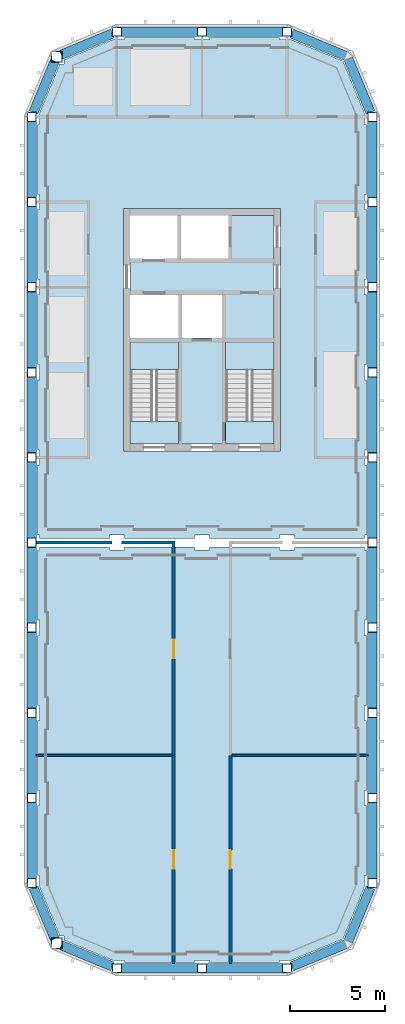
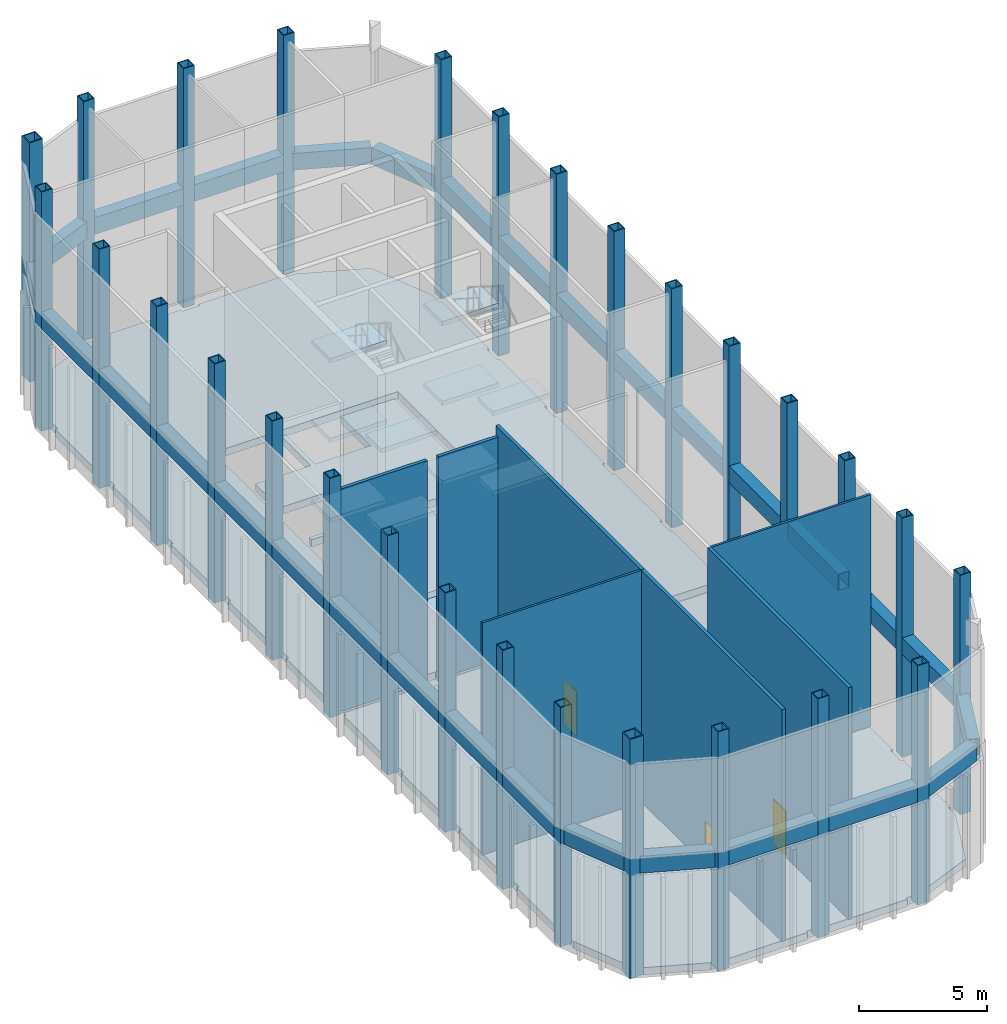
# One storey, part 1 of 8: 30 beams, 28 columns, 13 slabs, 7 walls, 3 doors, 3 openings, 2 elements without a shape of their own.
"""IFC4 building model written with IfcOpenShell, lengths in metres."""

from ifc_helpers import new_model, si_unit, direction, frame, frame_2d, origin, origin_2d, place, context, subcontext, project, spatial, polyline, rectangle, hollow_rectangle, outline, extrude, material, layer, layer_set, material_profile, profile_set, type_object, element, fill, aggregate, save


model = new_model("IFC4")

# Units and contexts
model_context = context("Model", 3, precision=1e-05, world=origin(), true_north=direction((0.0, 1.0)))
body_context = subcontext(model_context, "Body", "Model", "MODEL_VIEW")
ifc_project = project(units=[si_unit("LENGTHUNIT", "METRE"), si_unit("AREAUNIT", "SQUARE_METRE"), si_unit("VOLUMEUNIT", "CUBIC_METRE"), si_unit("PLANEANGLEUNIT", "RADIAN"), si_unit("MASSUNIT", "GRAM", prefix="KILO")], contexts=[model_context])

# Site, building, storey
site_placement = place(None, origin())
site = spatial("IfcSite", under=ifc_project, at=site_placement, CompositionType="ELEMENT")
building_placement = place(site_placement, origin())
building = spatial("IfcBuilding", under=site, at=building_placement, Name="Girih Gate Residences", CompositionType="ELEMENT")
storey_placement = place(building_placement, frame((0.0, 0.0, 235.695068359375)))
storey = spatial("IfcBuildingStorey", under=building, at=storey_placement, Name="L66", CompositionType="ELEMENT", Elevation=235.695068359375)

# Columns
ifc_material_1 = material(Name="Steel S460", Category="steel")
ifc_material_profile_1 = material_profile(ifc_material_1, hollow_rectangle(XDim=0.60009765625, YDim=0.60009765625, WallThickness=0.050048828125, at=origin_2d()))
ifc_profile_set_1 = profile_set([ifc_material_profile_1], Name="Steel S460")
column_type_1 = type_object("IfcColumnType", Name="CROWN FRAME lower corner post BOX 600x600x50 Steel S460", PredefinedType="COLUMN", material=ifc_profile_set_1)
for number, where, z_axis, x_axis, name in (
    (1, (1.318115234375, 1.318115234375, 0.0), (0.0, 0.0, 1.0), (1.0, 0.0, 0.0), "CROWN FRAME post 4 L66"),
    (2, (1.318115234375, 48.181884765625, 0.0), (0.0, 0.0, 1.0), (1.0, 0.0, 0.0), "CROWN FRAME post 25 L66"),
):
    element("IfcColumn", number, at=place(storey_placement, frame(where, z_axis=z_axis, x_axis=x_axis)), inside=storey, type_object=column_type_1, Name=name, PredefinedType="COLUMN", context=body_context, shape_type="SweptSolid", body=[
        extrude(hollow_rectangle(XDim=0.60009765625, YDim=0.60009765625, WallThickness=0.050048828125, at=origin_2d()), origin(), (0.0, 0.0, 1.0), 11.39990234375),
    ])
ifc_material_profile_2 = material_profile(ifc_material_1, hollow_rectangle(XDim=0.5, YDim=0.5, WallThickness=0.0400390625, at=origin_2d()))
ifc_profile_set_2 = profile_set([ifc_material_profile_2], Name="Steel S460")
column_type_2 = type_object("IfcColumnType", Name="CROWN FRAME lower post BOX 500x500x40 Steel S460", PredefinedType="COLUMN", material=ifc_profile_set_2)
for number, where, z_axis, x_axis, name in (
    (3, (4.5, 0.0, 0.0), (0.0, 0.0, 1.0), (1.0, 0.0, 0.0), "CROWN FRAME post 1 L66"),
    (4, (9.0, 0.0, 0.0), (0.0, 0.0, 1.0), (1.0, 0.0, 0.0), "CROWN FRAME post 2 L66"),
    (5, (13.5, 0.0, 0.0), (0.0, 0.0, 1.0), (1.0, 0.0, 0.0), "CROWN FRAME post 3 L66"),
    (6, (0.0, 4.5, 0.0), (0.0, 0.0, 1.0), (1.0, 0.0, 0.0), "CROWN FRAME post 5 L66"),
    (7, (18.0, 4.5, 0.0), (0.0, 0.0, 1.0), (1.0, 0.0, 0.0), "CROWN FRAME post 6 L66"),
    (8, (0.0, 9.0, 0.0), (0.0, 0.0, 1.0), (1.0, 0.0, 0.0), "CROWN FRAME post 7 L66"),
    (9, (18.0, 9.0, 0.0), (0.0, 0.0, 1.0), (1.0, 0.0, 0.0), "CROWN FRAME post 8 L66"),
    (10, (0.0, 13.5, 0.0), (0.0, 0.0, 1.0), (1.0, 0.0, 0.0), "CROWN FRAME post 9 L66"),
    (11, (18.0, 13.5, 0.0), (0.0, 0.0, 1.0), (1.0, 0.0, 0.0), "CROWN FRAME post 10 L66"),
    (12, (0.0, 18.0, 0.0), (0.0, 0.0, 1.0), (1.0, 0.0, 0.0), "CROWN FRAME post 11 L66"),
    (13, (18.0, 18.0, 0.0), (0.0, 0.0, 1.0), (1.0, 0.0, 0.0), "CROWN FRAME post 12 L66"),
    (14, (0.0, 22.5, 0.0), (0.0, 0.0, 1.0), (1.0, 0.0, 0.0), "CROWN FRAME post 13 L66"),
    (15, (18.0, 22.5, 0.0), (0.0, 0.0, 1.0), (1.0, 0.0, 0.0), "CROWN FRAME post 14 L66"),
    (16, (0.0, 27.0, 0.0), (0.0, 0.0, 1.0), (1.0, 0.0, 0.0), "CROWN FRAME post 15 L66"),
    (17, (18.0, 27.0, 0.0), (0.0, 0.0, 1.0), (1.0, 0.0, 0.0), "CROWN FRAME post 16 L66"),
    (18, (0.0, 31.5, 0.0), (0.0, 0.0, 1.0), (1.0, 0.0, 0.0), "CROWN FRAME post 17 L66"),
    (19, (18.0, 31.5, 0.0), (0.0, 0.0, 1.0), (1.0, 0.0, 0.0), "CROWN FRAME post 18 L66"),
    (20, (0.0, 36.0, 0.0), (0.0, 0.0, 1.0), (1.0, 0.0, 0.0), "CROWN FRAME post 19 L66"),
    (21, (18.0, 36.0, 0.0), (0.0, 0.0, 1.0), (1.0, 0.0, 0.0), "CROWN FRAME post 20 L66"),
    (22, (0.0, 40.5, 0.0), (0.0, 0.0, 1.0), (1.0, 0.0, 0.0), "CROWN FRAME post 21 L66"),
    (23, (18.0, 40.5, 0.0), (0.0, 0.0, 1.0), (1.0, 0.0, 0.0), "CROWN FRAME post 22 L66"),
    (24, (0.0, 45.0, 0.0), (0.0, 0.0, 1.0), (1.0, 0.0, 0.0), "CROWN FRAME post 23 L66"),
    (25, (18.0, 45.0, 0.0), (0.0, 0.0, 1.0), (1.0, 0.0, 0.0), "CROWN FRAME post 24 L66"),
    (26, (4.5, 49.5, 0.0), (0.0, 0.0, 1.0), (1.0, 0.0, 0.0), "CROWN FRAME post 26 L66"),
    (27, (9.0, 49.5, 0.0), (0.0, 0.0, 1.0), (1.0, 0.0, 0.0), "CROWN FRAME post 27 L66"),
    (28, (13.5, 49.5, 0.0), (0.0, 0.0, 1.0), (1.0, 0.0, 0.0), "CROWN FRAME post 28 L66"),
):
    element("IfcColumn", number, at=place(storey_placement, frame(where, z_axis=z_axis, x_axis=x_axis)), inside=storey, type_object=column_type_2, Name=name, PredefinedType="COLUMN", context=body_context, shape_type="SweptSolid", body=[
        extrude(hollow_rectangle(XDim=0.5, YDim=0.5, WallThickness=0.0400390625, at=origin_2d()), origin(), (0.0, 0.0, 1.0), 11.39990234375),
    ])

# Beams
ifc_material_profile_3 = material_profile(ifc_material_1, hollow_rectangle(XDim=0.5, YDim=0.800048828125, WallThickness=0.030029296875, at=origin_2d()))
ifc_profile_set_3 = profile_set([ifc_material_profile_3], Name="Steel S460")
beam_type = type_object("IfcBeamType", Name="CROWN FRAME stiffening ring BOX 800x500x30 Steel S460", PredefinedType="BEAM", material=ifc_profile_set_3)
for number, where, z_axis, x_axis, name in (
    (29, (17.904296875, 45.23095703125, 5.300048828125), (-0.382640157244, 0.923897456466, 0.0), (-0.923897456466, -0.382640157244, 0.0), "CROWN FRAME ring beam 241.4 1"),
    (30, (16.58642578125, 48.2216796875, 5.300048828125), (-0.923897456466, 0.382640157244, 0.0), (-0.382640157244, -0.923897456466, 0.0), "CROWN FRAME ring beam 241.4 2"),
):
    element("IfcBeam", number, at=place(storey_placement, frame(where, z_axis=z_axis, x_axis=x_axis)), inside=storey, type_object=beam_type, Name=name, PredefinedType="BEAM", context=body_context, shape_type="SweptSolid", body=[
        extrude(hollow_rectangle(XDim=0.5, YDim=0.800048828125, WallThickness=0.030029296875, at=origin_2d()), origin(), (0.0, 0.0, 1.0), 3.090576171875),
    ])
for number, where, z_axis, x_axis, name in (
    (31, (13.25, 49.5, 5.300048828125), (-1.0, 0.0, 0.0), (0.0, -1.0, 0.0), "CROWN FRAME ring beam 241.4 3"),
    (32, (8.75, 49.5, 5.300048828125), (-1.0, 0.0, 0.0), (0.0, -1.0, 0.0), "CROWN FRAME ring beam 241.4 4"),
):
    element("IfcBeam", number, at=place(storey_placement, frame(where, z_axis=z_axis, x_axis=x_axis)), inside=storey, type_object=beam_type, Name=name, PredefinedType="BEAM", context=body_context, shape_type="SweptSolid", body=[
        extrude(hollow_rectangle(XDim=0.5, YDim=0.800048828125, WallThickness=0.030029296875, at=origin_2d()), origin(), (0.0, 0.0, 1.0), 4.0),
    ])
for number, where, z_axis, x_axis, name in (
    (33, (4.26904296875, 49.404296875, 5.300048828125), (-0.923872299408, -0.382700894154, 0.0), (0.382700894154, -0.923872299408, 0.0), "CROWN FRAME ring beam 241.4 5"),
    (34, (1.222412109375, 47.950927734375, 5.300048828125), (-0.382700894154, -0.923872299408, 0.0), (0.923872299408, -0.382700894154, 0.0), "CROWN FRAME ring beam 241.4 6"),
):
    element("IfcBeam", number, at=place(storey_placement, frame(where, z_axis=z_axis, x_axis=x_axis)), inside=storey, type_object=beam_type, Name=name, PredefinedType="BEAM", context=body_context, shape_type="SweptSolid", body=[
        extrude(hollow_rectangle(XDim=0.5, YDim=0.800048828125, WallThickness=0.030029296875, at=origin_2d()), origin(), (0.0, 0.0, 1.0), 2.944091796875),
    ])
for number, where, z_axis, x_axis, name in (
    (35, (0.0, 44.75, 5.300048828125), (0.0, -1.0, 0.0), (1.0, 0.0, 0.0), "CROWN FRAME ring beam 241.4 7"),
    (36, (0.0, 40.25, 5.300048828125), (0.0, -1.0, 0.0), (1.0, 0.0, 0.0), "CROWN FRAME ring beam 241.4 8"),
    (37, (0.0, 35.75, 5.300048828125), (0.0, -1.0, 0.0), (1.0, 0.0, 0.0), "CROWN FRAME ring beam 241.4 9"),
    (38, (0.0, 31.25, 5.300048828125), (0.0, -1.0, 0.0), (1.0, 0.0, 0.0), "CROWN FRAME ring beam 241.4 10"),
    (39, (0.0, 26.75, 5.300048828125), (0.0, -1.0, 0.0), (1.0, 0.0, 0.0), "CROWN FRAME ring beam 241.4 11"),
    (40, (0.0, 22.25, 5.300048828125), (0.0, -1.0, 0.0), (1.0, 0.0, 0.0), "CROWN FRAME ring beam 241.4 12"),
    (41, (0.0, 17.75, 5.300048828125), (0.0, -1.0, 0.0), (1.0, 0.0, 0.0), "CROWN FRAME ring beam 241.4 13"),
    (42, (0.0, 13.25, 5.300048828125), (0.0, -1.0, 0.0), (1.0, 0.0, 0.0), "CROWN FRAME ring beam 241.4 14"),
    (43, (0.0, 8.75, 5.300048828125), (0.0, -1.0, 0.0), (1.0, 0.0, 0.0), "CROWN FRAME ring beam 241.4 15"),
):
    element("IfcBeam", number, at=place(storey_placement, frame(where, z_axis=z_axis, x_axis=x_axis)), inside=storey, type_object=beam_type, Name=name, PredefinedType="BEAM", context=body_context, shape_type="SweptSolid", body=[
        extrude(hollow_rectangle(XDim=0.5, YDim=0.800048828125, WallThickness=0.030029296875, at=origin_2d()), origin(), (0.0, 0.0, 1.0), 4.0),
    ])
for number, where, z_axis, x_axis, name in (
    (44, (0.095703125, 4.26904296875, 5.300048828125), (0.382700894154, -0.923872299408, 0.0), (0.923872299408, 0.382700894154, 0.0), "CROWN FRAME ring beam 241.4 16"),
    (45, (1.549072265625, 1.222412109375, 5.300048828125), (0.923872299408, -0.382700894154, 0.0), (0.382700894154, 0.923872299408, 0.0), "CROWN FRAME ring beam 241.4 17"),
):
    element("IfcBeam", number, at=place(storey_placement, frame(where, z_axis=z_axis, x_axis=x_axis)), inside=storey, type_object=beam_type, Name=name, PredefinedType="BEAM", context=body_context, shape_type="SweptSolid", body=[
        extrude(hollow_rectangle(XDim=0.5, YDim=0.800048828125, WallThickness=0.030029296875, at=origin_2d()), origin(), (0.0, 0.0, 1.0), 2.944091796875),
    ])
for number, where, z_axis, x_axis, name in (
    (46, (4.75, 0.0, 5.300048828125), (1.0, 0.0, 0.0), (0.0, 1.0, 0.0), "CROWN FRAME ring beam 241.4 18"),
    (47, (9.25, 0.0, 5.300048828125), (1.0, 0.0, 0.0), (0.0, 1.0, 0.0), "CROWN FRAME ring beam 241.4 19"),
):
    element("IfcBeam", number, at=place(storey_placement, frame(where, z_axis=z_axis, x_axis=x_axis)), inside=storey, type_object=beam_type, Name=name, PredefinedType="BEAM", context=body_context, shape_type="SweptSolid", body=[
        extrude(hollow_rectangle(XDim=0.5, YDim=0.800048828125, WallThickness=0.030029296875, at=origin_2d()), origin(), (0.0, 0.0, 1.0), 4.0),
    ])
for number, where, z_axis, x_axis, name in (
    (48, (13.73095703125, 0.095703125, 5.300048828125), (0.923897456466, 0.382640157244, 0.0), (-0.382640157244, 0.923897456466, 0.0), "CROWN FRAME ring beam 241.4 20"),
    (49, (16.7216796875, 1.41357421875, 5.300048828125), (0.382640157244, 0.923897456466, 0.0), (-0.923897456466, 0.382640157244, 0.0), "CROWN FRAME ring beam 241.4 21"),
):
    element("IfcBeam", number, at=place(storey_placement, frame(where, z_axis=z_axis, x_axis=x_axis)), inside=storey, type_object=beam_type, Name=name, PredefinedType="BEAM", context=body_context, shape_type="SweptSolid", body=[
        extrude(hollow_rectangle(XDim=0.5, YDim=0.800048828125, WallThickness=0.030029296875, at=origin_2d()), origin(), (0.0, 0.0, 1.0), 3.090576171875),
    ])
for number, where, z_axis, x_axis, name in (
    (50, (18.0, 4.75, 5.300048828125), (0.0, 1.0, 0.0), (-1.0, 0.0, 0.0), "CROWN FRAME ring beam 241.4 22"),
    (51, (18.0, 9.25, 5.300048828125), (0.0, 1.0, 0.0), (-1.0, 0.0, 0.0), "CROWN FRAME ring beam 241.4 23"),
    (52, (18.0, 13.75, 5.300048828125), (0.0, 1.0, 0.0), (-1.0, 0.0, 0.0), "CROWN FRAME ring beam 241.4 24"),
    (53, (18.0, 18.25, 5.300048828125), (0.0, 1.0, 0.0), (-1.0, 0.0, 0.0), "CROWN FRAME ring beam 241.4 25"),
    (54, (18.0, 22.75, 5.300048828125), (0.0, 1.0, 0.0), (-1.0, 0.0, 0.0), "CROWN FRAME ring beam 241.4 26"),
    (55, (18.0, 27.25, 5.300048828125), (0.0, 1.0, 0.0), (-1.0, 0.0, 0.0), "CROWN FRAME ring beam 241.4 27"),
    (56, (18.0, 31.75, 5.300048828125), (0.0, 1.0, 0.0), (-1.0, 0.0, 0.0), "CROWN FRAME ring beam 241.4 28"),
    (57, (18.0, 36.25, 5.300048828125), (0.0, 1.0, 0.0), (-1.0, 0.0, 0.0), "CROWN FRAME ring beam 241.4 29"),
    (58, (18.0, 40.75, 5.300048828125), (0.0, 1.0, 0.0), (-1.0, 0.0, 0.0), "CROWN FRAME ring beam 241.4 30"),
):
    element("IfcBeam", number, at=place(storey_placement, frame(where, z_axis=z_axis, x_axis=x_axis)), inside=storey, type_object=beam_type, Name=name, PredefinedType="BEAM", context=body_context, shape_type="SweptSolid", body=[
        extrude(hollow_rectangle(XDim=0.5, YDim=0.800048828125, WallThickness=0.030029296875, at=origin_2d()), origin(), (0.0, 0.0, 1.0), 4.0),
    ])

# Slabs
ifc_material_2 = material(Name="Concrete C40/50", Category="concrete")
ifc_layer_1 = layer(ifc_material_2, 0.35009765625)
ifc_layer_set_1 = layer_set([ifc_layer_1], Name="Core floor slab 350")
slab_type_1 = type_object("IfcSlabType", Name="Core floor slab 350", PredefinedType="FLOOR", material=ifc_layer_set_1)
slab_1_placement = place(storey_placement, frame((0.0, 0.0, -0.35009765625)))
element("IfcSlab", 59, at=slab_1_placement, inside=storey, type_object=slab_type_1, Name="L66 W core floor", PredefinedType="FLOOR", context=body_context, shape_type="SweptSolid", body=[
    extrude(outline(polyline([(12.800048828125, 27.699951171875), (5.199951171875, 27.699951171875), (5.199951171875, 28.900634765625), (7.75, 28.900634765625), (7.75, 33.10009765625), (5.199951171875, 33.10009765625), (5.199951171875, 33.300048828125), (7.75, 33.300048828125), (7.75, 35.60009765625), (5.199951171875, 35.60009765625), (5.199951171875, 37.5), (7.699951171875, 37.5), (7.699951171875, 39.800048828125), (7.89990234375, 39.800048828125), (7.89990234375, 37.5), (10.39990234375, 37.5), (10.39990234375, 39.800048828125), (12.800048828125, 39.800048828125), (12.800048828125, 33.10009765625), (10.25, 33.10009765625), (10.25, 28.900634765625), (12.800048828125, 28.900634765625), (12.800048828125, 27.699951171875)]), holes=[polyline([(7.949951171875, 33.300048828125), (10.050048828125, 33.300048828125), (10.050048828125, 35.60009765625), (7.949951171875, 35.60009765625), (7.949951171875, 33.300048828125)])]), origin(), (0.0, 0.0, 1.0), 0.35009765625),
])
ifc_layer_2 = layer(ifc_material_2, 0.35009765625)
ifc_layer_set_2 = layer_set([ifc_layer_2], Name="Floor slab PT 350 Concrete C40/50")
slab_type_2 = type_object("IfcSlabType", Name="Floor slab PT 350 Concrete C40/50", PredefinedType="FLOOR", material=ifc_layer_set_2)
slab_2_placement = place(storey_placement, frame((0.0, 0.0, -0.35009765625)))
element("IfcSlab", 60, at=slab_2_placement, inside=storey, type_object=slab_type_2, Name="Floor slab L66 0", PredefinedType="FLOOR", context=body_context, shape_type="SweptSolid", body=[
    extrude(outline(polyline([(17.699951171875, 18.39990234375), (17.699951171875, 22.10009765625), (17.60009765625, 22.10009765625), (17.60009765625, 22.27490234375), (13.89990234375, 22.27490234375), (13.89990234375, 22.10009765625), (13.10009765625, 22.10009765625), (13.10009765625, 22.27490234375), (9.39990234375, 22.27490234375), (9.39990234375, 22.10009765625), (8.60009765625, 22.10009765625), (8.60009765625, 22.27490234375), (4.89990234375, 22.27490234375), (4.89990234375, 22.10009765625), (4.10009765625, 22.10009765625), (4.10009765625, 22.27490234375), (0.39990234375, 22.27490234375), (0.39990234375, 22.10009765625), (0.300048828125, 22.10009765625), (0.300048828125, 18.39990234375), (0.39990234375, 18.39990234375), (0.39990234375, 17.60009765625), (0.300048828125, 17.60009765625), (0.300048828125, 13.89990234375), (0.39990234375, 13.89990234375), (0.39990234375, 13.10009765625), (0.300048828125, 13.10009765625), (0.300048828125, 9.39990234375), (0.39990234375, 9.39990234375), (0.39990234375, 8.60009765625), (0.300048828125, 8.60009765625), (0.300048828125, 4.89990234375), (0.39990234375, 4.89990234375), (0.39990234375, 4.318359375), (1.47705078125, 1.718017578125), (1.718017578125, 1.718017578125), (1.718017578125, 1.47705078125), (4.318359375, 0.39990234375), (4.89990234375, 0.39990234375), (4.89990234375, 0.300048828125), (8.60009765625, 0.300048828125), (8.60009765625, 0.39990234375), (9.39990234375, 0.39990234375), (9.39990234375, 0.300048828125), (13.10009765625, 0.300048828125), (13.10009765625, 0.39990234375), (13.681640625, 0.39990234375), (16.452392578125, 1.547607421875), (17.60009765625, 4.318359375), (17.60009765625, 4.89990234375), (17.699951171875, 4.89990234375), (17.699951171875, 8.60009765625), (17.60009765625, 8.60009765625), (17.60009765625, 9.39990234375), (17.699951171875, 9.39990234375), (17.699951171875, 13.10009765625), (17.60009765625, 13.10009765625), (17.60009765625, 13.89990234375), (17.699951171875, 13.89990234375), (17.699951171875, 17.60009765625), (17.60009765625, 17.60009765625), (17.60009765625, 18.39990234375), (17.699951171875, 18.39990234375)])), origin(), (0.0, 0.0, 1.0), 0.35009765625),
])
slab_3_placement = place(storey_placement, frame((0.0, 0.0, -0.35009765625)))
element("IfcSlab", 61, at=slab_3_placement, inside=storey, type_object=slab_type_2, Name="Floor slab L66 1", PredefinedType="FLOOR", context=body_context, shape_type="SweptSolid", body=[
    extrude(outline(polyline([(17.699951171875, 40.89990234375), (17.699951171875, 44.60009765625), (17.60009765625, 44.60009765625), (17.60009765625, 45.181640625), (16.452392578125, 47.952392578125), (13.681640625, 49.10009765625), (13.10009765625, 49.10009765625), (13.10009765625, 49.199951171875), (9.39990234375, 49.199951171875), (9.39990234375, 49.10009765625), (8.60009765625, 49.10009765625), (8.60009765625, 49.199951171875), (4.89990234375, 49.199951171875), (4.89990234375, 49.10009765625), (4.318359375, 49.10009765625), (1.718017578125, 48.02294921875), (1.718017578125, 47.781982421875), (1.47705078125, 47.781982421875), (0.39990234375, 45.181640625), (0.39990234375, 44.60009765625), (0.300048828125, 44.60009765625), (0.300048828125, 40.89990234375), (0.39990234375, 40.89990234375), (0.39990234375, 40.10009765625), (0.300048828125, 40.10009765625), (0.300048828125, 36.39990234375), (0.39990234375, 36.39990234375), (0.39990234375, 35.60009765625), (0.300048828125, 35.60009765625), (0.300048828125, 31.89990234375), (0.39990234375, 31.89990234375), (0.39990234375, 31.10009765625), (0.300048828125, 31.10009765625), (0.300048828125, 27.39990234375), (0.39990234375, 27.39990234375), (0.39990234375, 26.60009765625), (0.300048828125, 26.60009765625), (0.300048828125, 22.89990234375), (0.39990234375, 22.89990234375), (0.39990234375, 22.72509765625), (4.10009765625, 22.72509765625), (4.10009765625, 22.89990234375), (4.89990234375, 22.89990234375), (4.89990234375, 22.72509765625), (8.60009765625, 22.72509765625), (8.60009765625, 22.89990234375), (9.39990234375, 22.89990234375), (9.39990234375, 22.72509765625), (13.10009765625, 22.72509765625), (13.10009765625, 22.89990234375), (13.89990234375, 22.89990234375), (13.89990234375, 22.72509765625), (17.60009765625, 22.72509765625), (17.60009765625, 22.89990234375), (17.699951171875, 22.89990234375), (17.699951171875, 26.60009765625), (17.60009765625, 26.60009765625), (17.60009765625, 27.39990234375), (17.699951171875, 27.39990234375), (17.699951171875, 31.10009765625), (17.60009765625, 31.10009765625), (17.60009765625, 31.89990234375), (17.699951171875, 31.89990234375), (17.699951171875, 35.60009765625), (17.60009765625, 35.60009765625), (17.60009765625, 36.39990234375), (17.699951171875, 36.39990234375), (17.699951171875, 40.10009765625), (17.60009765625, 40.10009765625), (17.60009765625, 40.89990234375), (17.699951171875, 40.89990234375)]), holes=[polyline([(4.85009765625, 27.35009765625), (4.85009765625, 40.14990234375), (13.14990234375, 40.14990234375), (13.14990234375, 27.35009765625), (4.85009765625, 27.35009765625)])]), origin(), (0.0, 0.0, 1.0), 0.35009765625),
])

# Stair, slabs
stair_type = type_object("IfcStairType", Name="Exit stair", PredefinedType="HALF_TURN_STAIR", material=ifc_material_2)
stair_1_placement = place(storey_placement, origin())
stair_1 = element("IfcStair", 62, at=stair_1_placement, inside=storey, type_object=stair_type, Name="L66 Exit Stair ST-W1", PredefinedType="HALF_TURN_STAIR")
ifc_layer_3 = layer(ifc_material_2, 0.199951171875)
ifc_layer_set_3 = layer_set([ifc_layer_3], Name="Stair landing 200")
slab_type_3 = type_object("IfcSlabType", Name="Stair landing 200", PredefinedType="LANDING", material=ifc_layer_set_3)
slab_4_placement = place(storey_placement, frame((0.0, 0.0, 1.699951171875)))
slab_4 = element("IfcSlab", 63, at=slab_4_placement, type_object=slab_type_3, Name="ST-W1 landing 1", PredefinedType="LANDING", context=body_context, shape_type="SweptSolid", body=[
    extrude(outline(polyline([(7.75, 31.64990234375), (7.75, 33.10009765625), (5.199951171875, 33.10009765625), (5.199951171875, 31.64990234375), (7.75, 31.64990234375)])), origin(), (0.0, 0.0, 1.0), 0.199951171875),
])
slab_5_placement = place(storey_placement, frame((0.0, 0.0, 3.599853515625)))
slab_5 = element("IfcSlab", 64, at=slab_5_placement, type_object=slab_type_3, Name="ST-W1 landing 2", PredefinedType="LANDING", context=body_context, shape_type="SweptSolid", body=[
    extrude(outline(polyline([(7.75, 27.699951171875), (7.75, 28.89990234375), (5.199951171875, 28.89990234375), (5.199951171875, 27.699951171875), (7.75, 27.699951171875)])), origin(), (0.0, 0.0, 1.0), 0.2001953125),
])
slab_6_placement = place(storey_placement, frame((0.0, 0.0, 5.5)))
slab_6 = element("IfcSlab", 65, at=slab_6_placement, type_object=slab_type_3, Name="ST-W1 landing 3", PredefinedType="LANDING", context=body_context, shape_type="SweptSolid", body=[
    extrude(outline(polyline([(7.75, 31.64990234375), (7.75, 33.10009765625), (5.199951171875, 33.10009765625), (5.199951171875, 31.64990234375), (7.75, 31.64990234375)])), origin(), (0.0, 0.0, 1.0), 0.199951171875),
])
slab_7_placement = place(storey_placement, frame((0.0, 0.0, 7.39990234375)))
slab_7 = element("IfcSlab", 66, at=slab_7_placement, type_object=slab_type_3, Name="ST-W1 landing 4", PredefinedType="LANDING", context=body_context, shape_type="SweptSolid", body=[
    extrude(outline(polyline([(7.75, 27.699951171875), (7.75, 28.89990234375), (5.199951171875, 28.89990234375), (5.199951171875, 27.699951171875), (7.75, 27.699951171875)])), origin(), (0.0, 0.0, 1.0), 0.199951171875),
])
slab_8_placement = place(storey_placement, frame((0.0, 0.0, 9.300048828125)))
slab_8 = element("IfcSlab", 67, at=slab_8_placement, type_object=slab_type_3, Name="ST-W1 landing 5", PredefinedType="LANDING", context=body_context, shape_type="SweptSolid", body=[
    extrude(outline(polyline([(7.75, 31.64990234375), (7.75, 33.10009765625), (5.199951171875, 33.10009765625), (5.199951171875, 31.64990234375), (7.75, 31.64990234375)])), origin(), (0.0, 0.0, 1.0), 0.199951171875),
])
aggregate(stair_1, [slab_4, slab_5, slab_6, slab_7, slab_8])

stair_2_placement = place(storey_placement, origin())
stair_2 = element("IfcStair", 68, at=stair_2_placement, inside=storey, type_object=stair_type, Name="L66 Exit Stair ST-W2", PredefinedType="HALF_TURN_STAIR")
slab_9_placement = place(storey_placement, frame((0.0, 0.0, 1.699951171875)))
slab_9 = element("IfcSlab", 69, at=slab_9_placement, type_object=slab_type_3, Name="ST-W2 landing 1", PredefinedType="LANDING", context=body_context, shape_type="SweptSolid", body=[
    extrude(outline(polyline([(12.800048828125, 31.64990234375), (12.800048828125, 33.10009765625), (10.25, 33.10009765625), (10.25, 31.64990234375), (12.800048828125, 31.64990234375)])), origin(), (0.0, 0.0, 1.0), 0.199951171875),
])
slab_10_placement = place(storey_placement, frame((0.0, 0.0, 3.599853515625)))
slab_10 = element("IfcSlab", 70, at=slab_10_placement, type_object=slab_type_3, Name="ST-W2 landing 2", PredefinedType="LANDING", context=body_context, shape_type="SweptSolid", body=[
    extrude(outline(polyline([(12.800048828125, 27.699951171875), (12.800048828125, 28.89990234375), (10.25, 28.89990234375), (10.25, 27.699951171875), (12.800048828125, 27.699951171875)])), origin(), (0.0, 0.0, 1.0), 0.2001953125),
])
slab_11_placement = place(storey_placement, frame((0.0, 0.0, 5.5)))
slab_11 = element("IfcSlab", 71, at=slab_11_placement, type_object=slab_type_3, Name="ST-W2 landing 3", PredefinedType="LANDING", context=body_context, shape_type="SweptSolid", body=[
    extrude(outline(polyline([(12.800048828125, 31.64990234375), (12.800048828125, 33.10009765625), (10.25, 33.10009765625), (10.25, 31.64990234375), (12.800048828125, 31.64990234375)])), origin(), (0.0, 0.0, 1.0), 0.199951171875),
])
slab_12_placement = place(storey_placement, frame((0.0, 0.0, 7.39990234375)))
slab_12 = element("IfcSlab", 72, at=slab_12_placement, type_object=slab_type_3, Name="ST-W2 landing 4", PredefinedType="LANDING", context=body_context, shape_type="SweptSolid", body=[
    extrude(outline(polyline([(12.800048828125, 27.699951171875), (12.800048828125, 28.89990234375), (10.25, 28.89990234375), (10.25, 27.699951171875), (12.800048828125, 27.699951171875)])), origin(), (0.0, 0.0, 1.0), 0.199951171875),
])
slab_13_placement = place(storey_placement, frame((0.0, 0.0, 9.300048828125)))
slab_13 = element("IfcSlab", 73, at=slab_13_placement, type_object=slab_type_3, Name="ST-W2 landing 5", PredefinedType="LANDING", context=body_context, shape_type="SweptSolid", body=[
    extrude(outline(polyline([(12.800048828125, 31.64990234375), (12.800048828125, 33.10009765625), (10.25, 33.10009765625), (10.25, 31.64990234375), (12.800048828125, 31.64990234375)])), origin(), (0.0, 0.0, 1.0), 0.199951171875),
])
aggregate(stair_2, [slab_9, slab_10, slab_11, slab_12, slab_13])

# Walls
ifc_material_3 = material(Name="Gypsum board on steel studs", Category="steel")
ifc_layer_4 = layer(ifc_material_3, 0.14990234375)
ifc_layer_set_4 = layer_set([ifc_layer_4], Name="Compartment wall 150 mm")
wall_type_1 = type_object("IfcWallType", Name="Compartment wall 150 mm", PredefinedType="PARTITIONING", material=ifc_layer_set_4)
wall_1_placement = place(storey_placement, frame((4.75, 22.5, 0.0), z_axis=(0.0, 0.0, 1.0), x_axis=(1.0, 0.0, 0.0)))
element("IfcWall", 74, at=wall_1_placement, inside=storey, type_object=wall_type_1, Name="L66 partition", PredefinedType="PARTITIONING", context=body_context, shape_type="SweptSolid", body=[
    extrude(rectangle(XDim=2.675048828125, YDim=0.14990234375, at=frame_2d((1.33740234375, 0.0))), origin(), (0.0, 0.0, 1.0), 10.579833984375),
])
wall_2_placement = place(storey_placement, frame((0.25, 22.5, 0.0), z_axis=(0.0, 0.0, 1.0), x_axis=(1.0, 0.0, 0.0)))
element("IfcWall", 75, at=wall_2_placement, inside=storey, type_object=wall_type_1, Name="L66 partition", PredefinedType="PARTITIONING", context=body_context, shape_type="SweptSolid", body=[
    extrude(rectangle(XDim=4.0, YDim=0.14990234375, at=frame_2d((2.0, 0.0))), origin(), (0.0, 0.0, 1.0), 10.579833984375),
])

# Wall, opening, door
wall_3_placement = place(storey_placement, frame((7.5, 0.25, 0.0), z_axis=(0.0, 0.0, 1.0), x_axis=(0.0, 1.0, 0.0)))
wall_3 = element("IfcWall", 76, at=wall_3_placement, inside=storey, type_object=wall_type_1, Name="L66 partition", PredefinedType="PARTITIONING", context=body_context, shape_type="SweptSolid", body=[
    extrude(rectangle(XDim=11.0, YDim=0.14990234375, at=frame_2d((5.5, 0.0))), origin(), (0.0, 0.0, 1.0), 11.050048828125),
])
opening_1_placement = place(wall_3_placement, frame((5.0, 0.0, 0.0)))
opening_1 = element("IfcOpeningElement", 77, at=opening_1_placement, cuts=wall_3, Name="Opening D-L66-S-009", PredefinedType="OPENING", context=body_context, shape_type="SweptSolid", body=[
    extrude(rectangle(XDim=1.0, YDim=2.10009765625, at=frame_2d((0.5, 1.050048828125))), frame((0.0, 0.0849609375, 0.0), z_axis=(0.0, -1.0, 0.0), x_axis=(1.0, 0.0, 0.0)), (0.0, 0.0, 1.0), 0.169921875),
])
ifc_material_4 = material(Name="Painted steel, fire-resisting", Category="steel")
door_type = type_object("IfcDoorType", Name="Plant room door 1000x2100 FD60", OperationType="SINGLE_SWING_LEFT", PredefinedType="DOOR", material=ifc_material_4)
door_1_placement = place(opening_1_placement, origin())
door_1 = element("IfcDoor", 78, at=door_1_placement, inside=storey, type_object=door_type, Name="Door L66-009", OperationType="SINGLE_SWING_RIGHT", OverallHeight=2.10009765625, OverallWidth=1.0, PredefinedType="DOOR", context=body_context, shape_type="SweptSolid", body=[
    extrude(rectangle(XDim=1.0, YDim=2.10009765625, at=frame_2d((0.5, 1.050048828125))), frame((0.0, 0.02490234375, 0.0), z_axis=(0.0, -1.0, 0.0), x_axis=(1.0, 0.0, 0.0)), (0.0, 0.0, 1.0), 0.050048828125),
])
fill(opening_1, door_1)

wall_4_placement = place(storey_placement, frame((10.5, 11.25, 0.0), z_axis=(0.0, 0.0, 1.0), x_axis=(0.0, -1.0, 0.0)))
wall_4 = element("IfcWall", 79, at=wall_4_placement, inside=storey, type_object=wall_type_1, Name="L66 partition", PredefinedType="PARTITIONING", context=body_context, shape_type="SweptSolid", body=[
    extrude(rectangle(XDim=11.0, YDim=0.14990234375, at=frame_2d((5.5, 0.0))), origin(), (0.0, 0.0, 1.0), 11.050048828125),
])
opening_2_placement = place(wall_4_placement, frame((5.0, 0.0, 0.0)))
opening_2 = element("IfcOpeningElement", 80, at=opening_2_placement, cuts=wall_4, Name="Opening D-L66-S-010", PredefinedType="OPENING", context=body_context, shape_type="SweptSolid", body=[
    extrude(rectangle(XDim=1.0, YDim=2.10009765625, at=frame_2d((0.5, 1.050048828125))), frame((0.0, 0.0849609375, 0.0), z_axis=(0.0, -1.0, 0.0), x_axis=(1.0, 0.0, 0.0)), (0.0, 0.0, 1.0), 0.169921875),
])
door_2_placement = place(opening_2_placement, origin())
door_2 = element("IfcDoor", 81, at=door_2_placement, inside=storey, type_object=door_type, Name="Door L66-010", OperationType="SINGLE_SWING_RIGHT", OverallHeight=2.10009765625, OverallWidth=1.0, PredefinedType="DOOR", context=body_context, shape_type="SweptSolid", body=[
    extrude(rectangle(XDim=1.0, YDim=2.10009765625, at=frame_2d((0.5, 1.050048828125))), frame((0.0, 0.02490234375, 0.0), z_axis=(0.0, -1.0, 0.0), x_axis=(1.0, 0.0, 0.0)), (0.0, 0.0, 1.0), 0.050048828125),
])
fill(opening_2, door_2)

wall_5_placement = place(storey_placement, frame((7.5, 11.25, 0.0), z_axis=(0.0, 0.0, 1.0), x_axis=(0.0, 1.0, 0.0)))
wall_5 = element("IfcWall", 82, at=wall_5_placement, inside=storey, type_object=wall_type_1, Name="L66 partition", PredefinedType="PARTITIONING", context=body_context, shape_type="SweptSolid", body=[
    extrude(rectangle(XDim=11.324951171875, YDim=0.14990234375, at=frame_2d((5.66259765625, 0.0))), origin(), (0.0, 0.0, 1.0), 11.050048828125),
])
opening_3_placement = place(wall_5_placement, frame((5.125, 0.0, 0.0)))
opening_3 = element("IfcOpeningElement", 83, at=opening_3_placement, cuts=wall_5, Name="Opening D-L66-S-011", PredefinedType="OPENING", context=body_context, shape_type="SweptSolid", body=[
    extrude(rectangle(XDim=1.0, YDim=2.10009765625, at=frame_2d((0.5, 1.050048828125))), frame((0.0, 0.0849609375, 0.0), z_axis=(0.0, -1.0, 0.0), x_axis=(1.0, 0.0, 0.0)), (0.0, 0.0, 1.0), 0.169921875),
])
door_3_placement = place(opening_3_placement, origin())
door_3 = element("IfcDoor", 84, at=door_3_placement, inside=storey, type_object=door_type, Name="Door L66-011", OperationType="SINGLE_SWING_LEFT", OverallHeight=2.10009765625, OverallWidth=1.0, PredefinedType="DOOR", context=body_context, shape_type="SweptSolid", body=[
    extrude(rectangle(XDim=1.0, YDim=2.10009765625, at=frame_2d((0.5, 1.050048828125))), frame((0.0, 0.02490234375, 0.0), z_axis=(0.0, -1.0, 0.0), x_axis=(1.0, 0.0, 0.0)), (0.0, 0.0, 1.0), 0.050048828125),
])
fill(opening_3, door_3)

# Walls
ifc_layer_5 = layer(ifc_material_3, 0.10009765625)
ifc_layer_set_5 = layer_set([ifc_layer_5], Name="Partition 100 mm")
wall_type_2 = type_object("IfcWallType", Name="Partition 100 mm", PredefinedType="PARTITIONING", material=ifc_layer_set_5)
for number, where, z_axis, x_axis, name in (
    (85, (0.25, 11.25, 0.0), (0.0, 0.0, 1.0), (1.0, 0.0, 0.0), "L66 partition"),
    (86, (10.574951171875, 11.25, 0.0), (0.0, 0.0, 1.0), (1.0, 0.0, 0.0), "L66 partition"),
):
    element("IfcWall", number, at=place(storey_placement, frame(where, z_axis=z_axis, x_axis=x_axis)), inside=storey, type_object=wall_type_2, Name=name, PredefinedType="PARTITIONING", context=body_context, shape_type="SweptSolid", body=[
        extrude(rectangle(XDim=7.175048828125, YDim=0.10009765625, at=frame_2d((3.58740234375, 0.0))), origin(), (0.0, 0.0, 1.0), 11.050048828125),
    ])

save(model, "model.ifc")
